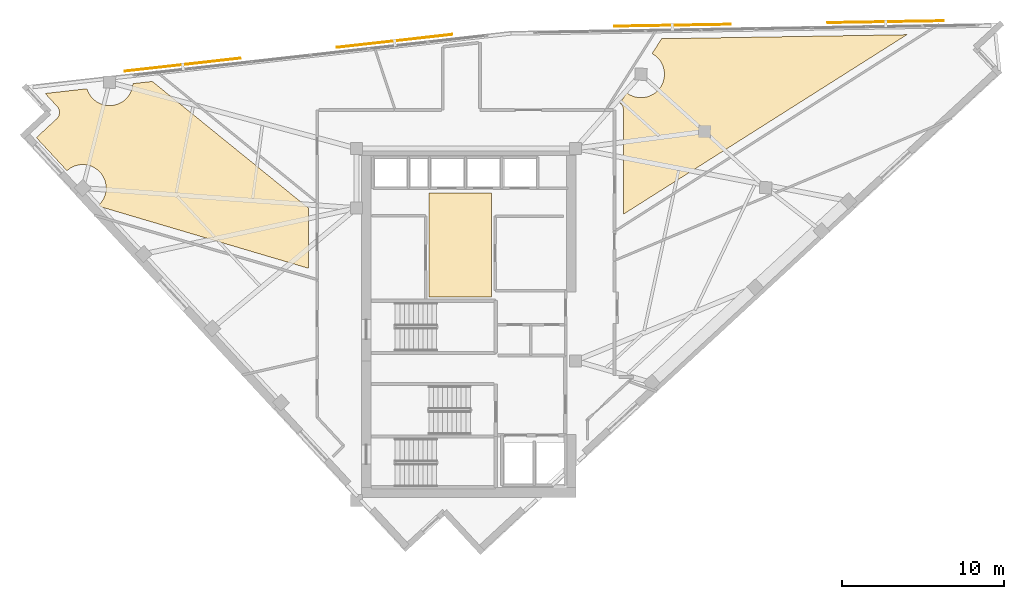
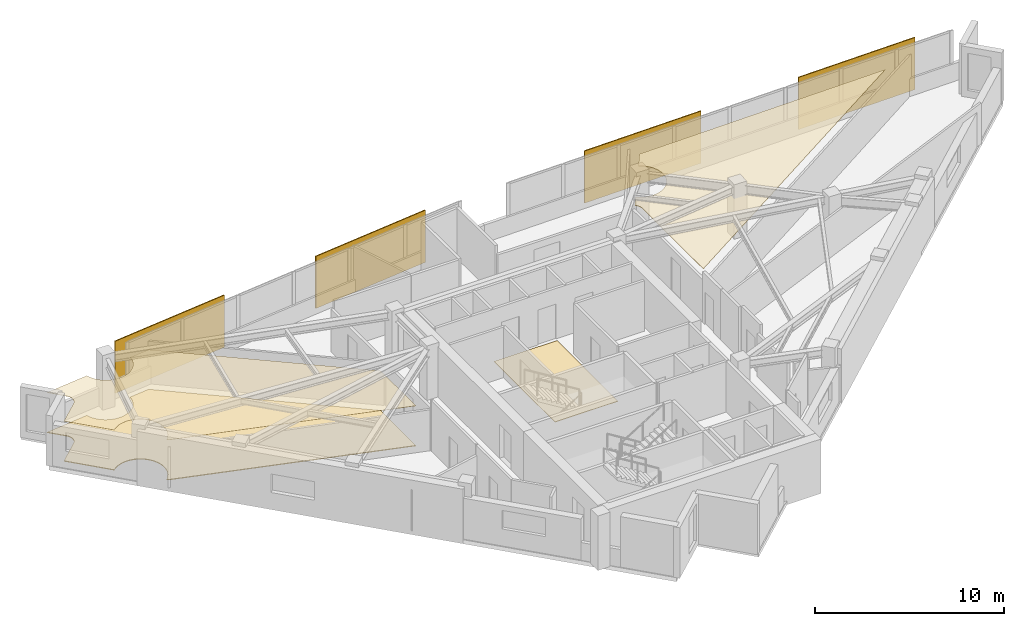
# One storey, part 13 of 13: 4 coverings, 4 shading devices.
"""IFC4 building model written with IfcOpenShell, lengths in metres."""

from ifc_helpers import new_model, si_unit, direction, frame, origin, origin_2d, place, context, subcontext, project, spatial, polyline, rectangle, outline, extrude, material, layer, layer_set, type_object, element, save


model = new_model("IFC4")

# Units and contexts
model_context = context("Model", 3, precision=1e-05, world=origin(), true_north=direction((0.0, 1.0)))
body_context = subcontext(model_context, "Body", "Model", "MODEL_VIEW")
ifc_project = project(units=[si_unit("LENGTHUNIT", "METRE"), si_unit("AREAUNIT", "SQUARE_METRE"), si_unit("VOLUMEUNIT", "CUBIC_METRE"), si_unit("PLANEANGLEUNIT", "RADIAN"), si_unit("MASSUNIT", "GRAM", prefix="KILO")], contexts=[model_context])

# Site, building, storey
site_placement = place(None, origin())
site = spatial("IfcSite", under=ifc_project, at=site_placement, CompositionType="ELEMENT")
building_placement = place(site_placement, origin())
building = spatial("IfcBuilding", under=site, at=building_placement, Name="Narakoshi Arena Tower", CompositionType="ELEMENT")
storey_placement = place(building_placement, frame((0.0, 0.0, 281.860107421875)))
storey = spatial("IfcBuildingStorey", under=building, at=storey_placement, Name="L77", CompositionType="ELEMENT", Elevation=281.860107421875)

# Coverings
ifc_material_1 = material(Name="Acoustic mineral-fibre ceiling tile")
ifc_layer_1 = layer(ifc_material_1, 0.02001953125)
ifc_layer_set_1 = layer_set([ifc_layer_1], Name="Acoustic mineral-fibre ceiling tile")
covering_type_1 = type_object("IfcCoveringType", Name="COV-CLG-AC20", PredefinedType="CEILING", material=ifc_layer_set_1)
covering_1_placement = place(storey_placement, frame((0.0, 0.0, 2.58984375)))
element("IfcCovering", 1, at=covering_1_placement, inside=storey, type_object=covering_type_1, Name="L77 Suspended Acoustic Ceiling 1", PredefinedType="CEILING", context=body_context, shape_type="SweptSolid", body=[
    extrude(outline(polyline([(69.02783203125, 52.803955078125), (69.02783203125, 49.078369140625), (56.137451171875, 52.8935546875), (56.048828125, 52.989501953125), (56.08349609375, 53.02099609375), (56.17919921875, 53.12646484375), (56.263916015625, 53.24072265625), (56.3369140625, 53.36279296875), (56.397705078125, 53.491455078125), (56.44580078125, 53.62548828125), (56.480224609375, 53.763427734375), (56.501220703125, 53.904296875), (56.50830078125, 54.04638671875), (56.501220703125, 54.1884765625), (56.480224609375, 54.3291015625), (56.44580078125, 54.46728515625), (56.397705078125, 54.601318359375), (56.3369140625, 54.729736328125), (56.263916015625, 54.851806640625), (56.17919921875, 54.96630859375), (56.08349609375, 55.071533203125), (55.97802734375, 55.167236328125), (55.86376953125, 55.251953125), (55.74169921875, 55.3251953125), (55.613037109375, 55.385986328125), (55.47900390625, 55.433837890625), (55.341064453125, 55.468505859375), (55.2001953125, 55.4892578125), (55.05810546875, 55.496337890625), (54.916015625, 55.4892578125), (54.775390625, 55.468505859375), (54.63720703125, 55.433837890625), (54.50341796875, 55.385986328125), (54.374755859375, 55.3251953125), (54.252685546875, 55.251953125), (54.13818359375, 55.167236328125), (54.08251953125, 55.11669921875), (52.1884765625, 57.16552734375), (53.4404296875, 58.322998046875), (53.478271484375, 58.361572265625), (53.51220703125, 58.403564453125), (53.54150390625, 58.44873046875), (53.566650390625, 58.49658203125), (53.586669921875, 58.546630859375), (53.601806640625, 58.598388671875), (53.61181640625, 58.6513671875), (53.61669921875, 58.705078125), (53.6162109375, 58.75927734375), (53.6103515625, 58.812744140625), (53.599365234375, 58.86572265625), (53.5830078125, 58.917236328125), (53.56201171875, 58.966796875), (53.535888671875, 59.01416015625), (53.505615234375, 59.058837890625), (53.470947265625, 59.10009765625), (52.731689453125, 59.89990234375), (55.326171875, 60.190673828125), (55.32958984375, 60.17724609375), (55.37744140625, 60.043212890625), (55.438232421875, 59.91455078125), (55.511474609375, 59.79248046875), (55.59619140625, 59.67822265625), (55.69189453125, 59.57275390625), (55.797119140625, 59.477294921875), (55.91162109375, 59.392578125), (56.03369140625, 59.3193359375), (56.162109375, 59.258544921875), (56.296142578125, 59.21044921875), (56.43408203125, 59.176025390625), (56.574951171875, 59.155029296875), (56.717041015625, 59.148193359375), (56.859130859375, 59.155029296875), (57.0, 59.176025390625), (57.137939453125, 59.21044921875), (57.27197265625, 59.258544921875), (57.400634765625, 59.3193359375), (57.522705078125, 59.392578125), (57.636962890625, 59.477294921875), (57.742431640625, 59.57275390625), (57.837890625, 59.67822265625), (57.922607421875, 59.79248046875), (57.995849609375, 59.91455078125), (58.056640625, 60.043212890625), (58.104736328125, 60.17724609375), (58.13916015625, 60.315185546875), (58.16015625, 60.4560546875), (58.16259765625, 60.508544921875), (59.3642578125, 60.643310546875), (69.02783203125, 52.803955078125)])), origin(), (0.0, 0.0, 1.0), 0.02001953125),
])
ifc_material_2 = material(Name="Slatted oak acoustic timber baffle", Category="wood")
ifc_layer_2 = layer(ifc_material_2, 0.034912109375)
ifc_layer_set_2 = layer_set([ifc_layer_2], Name="Slatted oak acoustic timber baffle")
covering_type_2 = type_object("IfcCoveringType", Name="COV-CLG-WD35", PredefinedType="CEILING", material=ifc_layer_set_2)
covering_2_placement = place(storey_placement, frame((0.0, 0.0, 2.574951171875)))
element("IfcCovering", 2, at=covering_2_placement, inside=storey, type_object=covering_type_2, Name="L77 Suspended Acoustic Ceiling 2", PredefinedType="CEILING", context=body_context, shape_type="SweptSolid", body=[
    extrude(outline(polyline([(88.729248046875, 59.941650390625), (88.805908203125, 59.884765625), (88.927978515625, 59.8115234375), (89.056396484375, 59.750732421875), (89.1904296875, 59.702880859375), (89.32861328125, 59.668212890625), (89.46923828125, 59.6474609375), (89.611328125, 59.640380859375), (89.75341796875, 59.6474609375), (89.894287109375, 59.668212890625), (90.0322265625, 59.702880859375), (90.166259765625, 59.750732421875), (90.294921875, 59.8115234375), (90.4169921875, 59.884765625), (90.53125, 59.969482421875), (90.63671875, 60.065185546875), (90.732421875, 60.17041015625), (90.81689453125, 60.284912109375), (90.89013671875, 60.406982421875), (90.950927734375, 60.535400390625), (90.9990234375, 60.66943359375), (91.033447265625, 60.8076171875), (91.054443359375, 60.9482421875), (91.061279296875, 61.09033203125), (91.054443359375, 61.232421875), (91.033447265625, 61.373291015625), (90.9990234375, 61.51123046875), (90.950927734375, 61.645263671875), (90.89013671875, 61.77392578125), (90.81689453125, 61.89599609375), (90.732421875, 62.01025390625), (90.63671875, 62.11572265625), (90.53125, 62.211181640625), (90.4169921875, 62.2958984375), (90.296142578125, 62.368408203125), (90.888916015625, 63.28662109375), (106.067138671875, 63.5361328125), (88.522216796875, 52.423095703125), (88.522216796875, 58.872314453125), (88.51953125, 58.926025390625), (88.51171875, 58.9794921875), (88.49853515625, 59.031982421875), (88.480224609375, 59.082763671875), (88.457275390625, 59.131591796875), (88.429443359375, 59.177734375), (88.3974609375, 59.22119140625), (88.361083984375, 59.260986328125), (88.321044921875, 59.29736328125), (88.31591796875, 59.30126953125), (88.729248046875, 59.941650390625)])), origin(), (0.0, 0.0, 1.0), 0.034912109375),
])
ifc_material_3 = material(Name="Raised steel access floor panel", Category="steel")
ifc_layer_3 = layer(ifc_material_3, 0.044921875)
ifc_layer_set_3 = layer_set([ifc_layer_3], Name="Raised steel access floor panel")
covering_type_3 = type_object("IfcCoveringType", Name="COV-FLR-RF45", PredefinedType="FLOORING", material=ifc_layer_set_3)
covering_3_placement = place(storey_placement, origin())
element("IfcCovering", 3, at=covering_3_placement, inside=storey, type_object=covering_type_3, Name="L77 Raised Steel Access Floor", PredefinedType="FLOORING", context=body_context, shape_type="SweptSolid", body=[
    extrude(outline(polyline([(69.02783203125, 52.803955078125), (69.02783203125, 49.078369140625), (56.137451171875, 52.8935546875), (56.048828125, 52.989501953125), (56.08349609375, 53.02099609375), (56.17919921875, 53.12646484375), (56.263916015625, 53.24072265625), (56.3369140625, 53.36279296875), (56.397705078125, 53.491455078125), (56.44580078125, 53.62548828125), (56.480224609375, 53.763427734375), (56.501220703125, 53.904296875), (56.50830078125, 54.04638671875), (56.501220703125, 54.1884765625), (56.480224609375, 54.3291015625), (56.44580078125, 54.46728515625), (56.397705078125, 54.601318359375), (56.3369140625, 54.729736328125), (56.263916015625, 54.851806640625), (56.17919921875, 54.96630859375), (56.08349609375, 55.071533203125), (55.97802734375, 55.167236328125), (55.86376953125, 55.251953125), (55.74169921875, 55.3251953125), (55.613037109375, 55.385986328125), (55.47900390625, 55.433837890625), (55.341064453125, 55.468505859375), (55.2001953125, 55.4892578125), (55.05810546875, 55.496337890625), (54.916015625, 55.4892578125), (54.775390625, 55.468505859375), (54.63720703125, 55.433837890625), (54.50341796875, 55.385986328125), (54.374755859375, 55.3251953125), (54.252685546875, 55.251953125), (54.13818359375, 55.167236328125), (54.08251953125, 55.11669921875), (52.1884765625, 57.16552734375), (53.4404296875, 58.322998046875), (53.478271484375, 58.361572265625), (53.51220703125, 58.403564453125), (53.54150390625, 58.44873046875), (53.566650390625, 58.49658203125), (53.586669921875, 58.546630859375), (53.601806640625, 58.598388671875), (53.61181640625, 58.6513671875), (53.61669921875, 58.705078125), (53.6162109375, 58.75927734375), (53.6103515625, 58.812744140625), (53.599365234375, 58.86572265625), (53.5830078125, 58.917236328125), (53.56201171875, 58.966796875), (53.535888671875, 59.01416015625), (53.505615234375, 59.058837890625), (53.470947265625, 59.10009765625), (52.731689453125, 59.89990234375), (55.326171875, 60.190673828125), (55.32958984375, 60.17724609375), (55.37744140625, 60.043212890625), (55.438232421875, 59.91455078125), (55.511474609375, 59.79248046875), (55.59619140625, 59.67822265625), (55.69189453125, 59.57275390625), (55.797119140625, 59.477294921875), (55.91162109375, 59.392578125), (56.03369140625, 59.3193359375), (56.162109375, 59.258544921875), (56.296142578125, 59.21044921875), (56.43408203125, 59.176025390625), (56.574951171875, 59.155029296875), (56.717041015625, 59.148193359375), (56.859130859375, 59.155029296875), (57.0, 59.176025390625), (57.137939453125, 59.21044921875), (57.27197265625, 59.258544921875), (57.400634765625, 59.3193359375), (57.522705078125, 59.392578125), (57.636962890625, 59.477294921875), (57.742431640625, 59.57275390625), (57.837890625, 59.67822265625), (57.922607421875, 59.79248046875), (57.995849609375, 59.91455078125), (58.056640625, 60.043212890625), (58.104736328125, 60.17724609375), (58.13916015625, 60.315185546875), (58.16015625, 60.4560546875), (58.16259765625, 60.508544921875), (59.3642578125, 60.643310546875), (69.02783203125, 52.803955078125)])), origin(), (0.0, 0.0, 1.0), 0.044921875),
])
ifc_material_4 = material(Name="Honed granite stone paving", Category="masonry")
ifc_layer_4 = layer(ifc_material_4, 0.030029296875)
ifc_layer_set_4 = layer_set([ifc_layer_4], Name="Honed granite stone paving")
covering_type_4 = type_object("IfcCoveringType", Name="COV-FLR-ST30", PredefinedType="FLOORING", material=ifc_layer_set_4)
covering_4_placement = place(storey_placement, origin())
element("IfcCovering", 4, at=covering_4_placement, inside=storey, type_object=covering_type_4, Name="L77 Lift Lobby Granite Flooring", PredefinedType="FLOORING", context=body_context, shape_type="SweptSolid", body=[
    extrude(outline(polyline([(76.5, 47.300048828125), (80.35009765625, 47.300048828125), (80.35009765625, 53.75), (76.5, 53.75), (76.5, 47.300048828125)])), origin(), (0.0, 0.0, 1.0), 0.02978515625),
])

# Shading devices
ifc_material_5 = material(Name="Perforated bronze ceramic-metal composite")
ifc_layer_5 = layer(ifc_material_5, 0.06005859375)
ifc_layer_set_5 = layer_set([ifc_layer_5], Name="Perforated bronze ceramic-metal composite")
shading_device_type = type_object("IfcShadingDeviceType", Name="SHD-SCR-BRZ2", PredefinedType="USERDEFINED", material=ifc_layer_set_5)
for number, where, z_axis, x_axis, name in (
    (5, (104.75439453125, 64.334716796875, -0.000244140625), (0.0, 0.0, 1.0), (-0.999864849778, -0.016440260879, 0.0), "L77 Perforated Bronze Solar Screen 1-1"),
    (6, (91.556396484375, 64.11767578125, -0.000244140625), (0.0, 0.0, 1.0), (-0.999864849778, -0.016440260879, 0.0), "L77 Perforated Bronze Solar Screen 1-2"),
    (7, (74.3623046875, 63.149658203125, -0.000244140625), (0.0, 0.0, 1.0), (-0.993775698738, -0.111399553846, 0.0), "L77 Perforated Bronze Solar Screen 2-1"),
    (8, (61.24462890625, 61.67919921875, -0.000244140625), (0.0, 0.0, 1.0), (-0.993775698738, -0.111399553846, 0.0), "L77 Perforated Bronze Solar Screen 2-2"),
):
    element("IfcShadingDevice", number, at=place(storey_placement, frame(where, z_axis=z_axis, x_axis=x_axis)), inside=storey, type_object=shading_device_type, Name=name, ObjectType="SOLAR SCREEN", PredefinedType="USERDEFINED", context=body_context, shape_type="SweptSolid", body=[
        extrude(rectangle(XDim=7.199951171875, YDim=0.06005859375, at=origin_2d()), origin(), (0.0, 0.0, 1.0), 3.3701171875),
    ])

save(model, "model.ifc")
